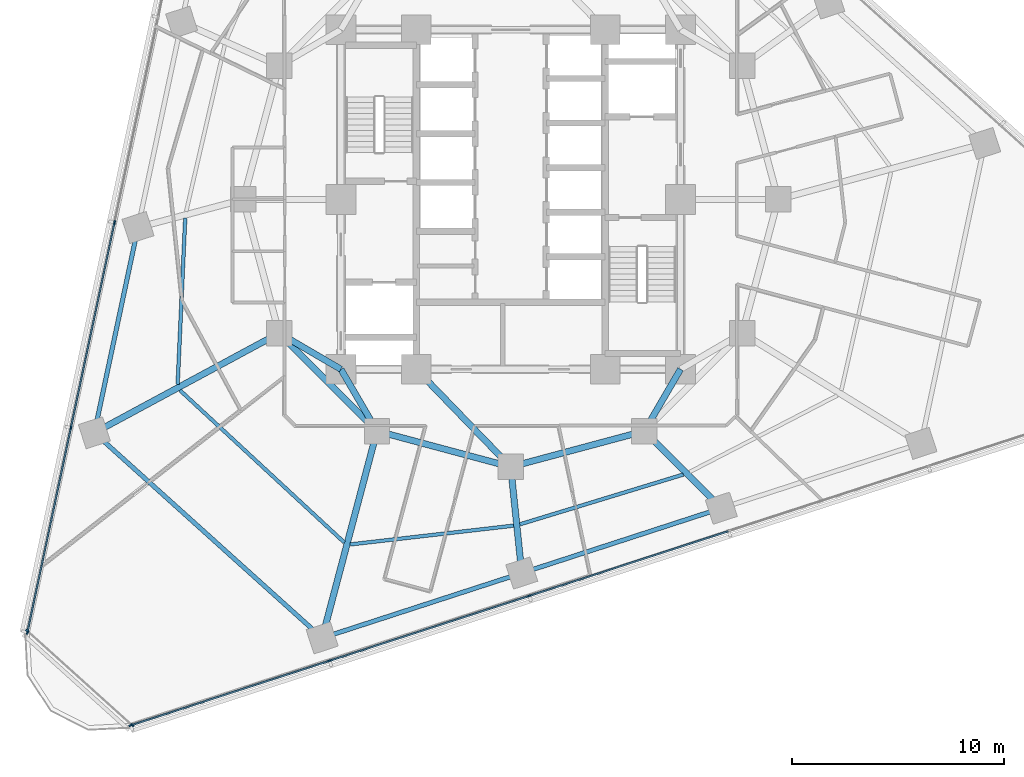
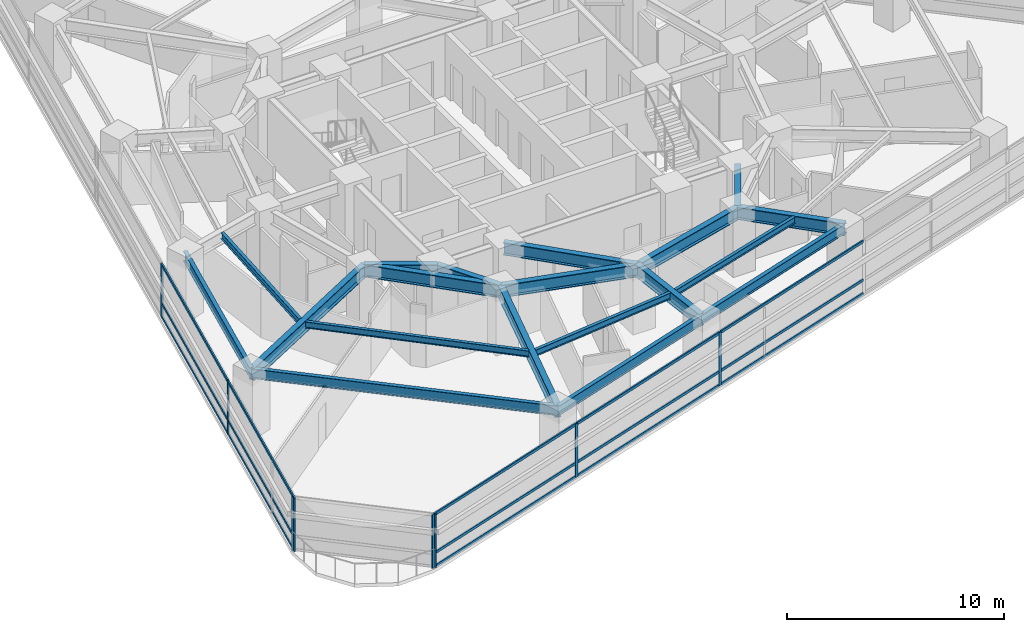
# One storey, part 2 of 13: 23 members, 19 beams, 3 elements without a shape of their own.
"""IFC4 building model written with IfcOpenShell, lengths in metres."""

import ifcopenshell
import ifcopenshell.guid

model = None  # the IFC model being written
_history = None  # IfcOwnerHistory: only IFC2X3 demands one
_inside = {}  # id of a spatial element -> (the spatial element, [elements in it])
_under = {}  # id of a project, library or spatial element -> (it, [spatial elements below it])
_declared = {}  # id of a project -> (the project, [libraries it declares])
_typed = {}  # id of a type object -> (the type object, [elements of that type])
_made_of = {}  # id of a material, layer set ... -> (it, [elements and type objects made of it])


def new_model(schema):
    """Start an empty IFC model of exactly this schema.

    Asked for "IFC4X3", IfcOpenShell would pick the latest addendum, in which some entities
    have other attributes; the version numbers below select the first issue.
    IFC2X3 requires an IfcOwnerHistory on every rooted entity: one is made here for all.
    """
    global model, _history
    if schema == "IFC4X3":
        model = ifcopenshell.file(schema_version=(4, 3, 0, 0))
    else:
        model = ifcopenshell.file(schema=schema)
    _inside.clear()
    _under.clear()
    _declared.clear()
    _typed.clear()
    _made_of.clear()
    _history = None
    if model.schema == "IFC2X3":
        org = make("IfcOrganization", Name="unknown")
        user = make(
            "IfcPersonAndOrganization",
            ThePerson=make("IfcPerson", FamilyName="unknown"),
            TheOrganization=org,
        )
        app = make(
            "IfcApplication",
            ApplicationDeveloper=org,
            Version="unknown",
            ApplicationFullName="unknown",
            ApplicationIdentifier="unknown",
        )
        _history = make(
            "IfcOwnerHistory",
            OwningUser=user,
            OwningApplication=app,
            ChangeAction="ADDED",
            CreationDate=0,
        )
    return model


def make(cls, **values):
    """One entity of the class cls with the attributes given. An attribute that is None is left unset."""
    return model.create_entity(
        cls, **{name: value for name, value in values.items() if value is not None}
    )


def rooted(cls, **values):
    """An entity with a GlobalId (a new one), such as an element, a storey or a relation."""
    return make(cls, GlobalId=ifcopenshell.guid.new(), OwnerHistory=_history, **values)


def si_unit(unit_type, name, prefix=None):
    """IfcSIUnit, for example si_unit("LENGTHUNIT", "METRE", prefix="MILLI")."""
    return make("IfcSIUnit", UnitType=unit_type, Prefix=prefix, Name=name)


def assignment(units):
    """IfcUnitAssignment: the units of a project."""
    return None if units is None else make("IfcUnitAssignment", Units=units)


def point(xyz):
    """IfcCartesianPoint."""
    return None if xyz is None else make("IfcCartesianPoint", Coordinates=xyz)


def direction(xyz):
    """IfcDirection."""
    return None if xyz is None else make("IfcDirection", DirectionRatios=xyz)


def frame(location, z_axis=None, x_axis=None):
    """IfcAxis2Placement3D, a coordinate frame: its origin and axes. An axis left out is left unset."""
    return make(
        "IfcAxis2Placement3D",
        Location=point(location),
        Axis=direction(z_axis),
        RefDirection=direction(x_axis),
    )


def frame_2d(location, x_axis=None):
    """IfcAxis2Placement2D, a coordinate frame in the plane: its origin and x axis."""
    return make(
        "IfcAxis2Placement2D", Location=point(location), RefDirection=direction(x_axis)
    )


def origin():
    """The frame at (0, 0, 0) with its axes left unset."""
    return frame((0.0, 0.0, 0.0))


def origin_2d():
    """The frame at (0, 0) in the plane with its x axis left unset."""
    return frame_2d((0.0, 0.0))


def place(relative_to, where):
    """IfcLocalPlacement: puts the frame where relative to a parent placement (None: the world)."""
    return make(
        "IfcLocalPlacement", PlacementRelTo=relative_to, RelativePlacement=where
    )


def context(
    kind, dimensions, precision=None, world=None, true_north=None, identifier=None
):
    """IfcGeometricRepresentationContext, for example the 3D "Model" context."""
    return make(
        "IfcGeometricRepresentationContext",
        ContextIdentifier=identifier,
        ContextType=kind,
        CoordinateSpaceDimension=dimensions,
        Precision=precision,
        WorldCoordinateSystem=world,
        TrueNorth=true_north,
    )


def subcontext(parent, identifier, kind, view, scale=None):
    """IfcGeometricRepresentationSubContext, for example "Body" below "Model"."""
    return make(
        "IfcGeometricRepresentationSubContext",
        ContextIdentifier=identifier,
        ContextType=kind,
        ParentContext=parent,
        TargetScale=scale,
        TargetView=view,
    )


def project(units=None, contexts=None):
    """IfcProject with its units and contexts."""
    return rooted(
        "IfcProject",
        Name="project",
        RepresentationContexts=contexts,
        UnitsInContext=assignment(units),
    )


def spatial(cls, under=None, at=None, **own):
    """A site, building, storey or space (cls), placed at a placement, below another one or the project."""
    s = rooted(cls, ObjectPlacement=at, **own)
    if under is not None:
        _under.setdefault(under.id(), (under, []))[1].append(s)
    return s


def profile(cls, at=None, kind="AREA", **sizes):
    """A parametric profile (cls). Its sizes go by their IFC names, for example OverallWidth=200.0."""
    return make(cls, ProfileType=kind, Position=at, **sizes)


def rectangle(**sizes):
    """IfcRectangleProfileDef."""
    return profile("IfcRectangleProfileDef", **sizes)


def i_section(**sizes):
    """IfcIShapeProfileDef."""
    return profile("IfcIShapeProfileDef", **sizes)


def extrude(swept, where, along, depth):
    """IfcExtrudedAreaSolid: the profile swept, set in the frame where, extruded along a direction by depth."""
    return make(
        "IfcExtrudedAreaSolid",
        SweptArea=swept,
        Position=where,
        ExtrudedDirection=direction(along),
        Depth=depth,
    )


def shape(context_of_items, identifier, shape_type, items):
    """IfcShapeRepresentation: the items that make up one representation, for example the "Body"."""
    return make(
        "IfcShapeRepresentation",
        ContextOfItems=context_of_items,
        RepresentationIdentifier=identifier,
        RepresentationType=shape_type,
        Items=items,
    )


def material(Name=None, Category=None):
    """IfcMaterial."""
    return make("IfcMaterial", Name=Name, Category=Category)


def layer(
    of_material, thickness, ventilated=None, Name=None, Category=None, Priority=None
):
    """IfcMaterialLayer: one layer of a wall or slab, of a material (None: an air gap)."""
    return make(
        "IfcMaterialLayer",
        Material=of_material,
        LayerThickness=thickness,
        IsVentilated=ventilated,
        Name=Name,
        Category=Category,
        Priority=Priority,
    )


def layer_set(layers, Name=None):
    """IfcMaterialLayerSet."""
    return make("IfcMaterialLayerSet", MaterialLayers=layers, LayerSetName=Name)


def material_profile(
    of_material, cross_section, Name=None, Category=None, Priority=None
):
    """IfcMaterialProfile: a cross section and its material."""
    return make(
        "IfcMaterialProfile",
        Name=Name,
        Material=of_material,
        Profile=cross_section,
        Priority=Priority,
        Category=Category,
    )


def profile_set(profiles, Name=None, composite=None):
    """IfcMaterialProfileSet."""
    return make(
        "IfcMaterialProfileSet",
        Name=Name,
        MaterialProfiles=profiles,
        CompositeProfile=composite,
    )


def made_of(thing, what):
    """Note that an element or type object is made of a material, layer set ...; save() writes the relation."""
    if what is not None:
        _made_of.setdefault(what.id(), (what, []))[1].append(thing)
    return thing


def type_object(cls, material=None, **own):
    """A type object (cls), such as IfcWallType, which elements share."""
    return made_of(rooted(cls, **own), material)


def element(
    cls,
    number,
    at=None,
    inside=None,
    cuts=None,
    type_object=None,
    material=None,
    context=None,
    identifier="Body",
    shape_type=None,
    held_by="IfcProductDefinitionShape",
    body=None,
    shapes=None,
    **own,
):
    """One element of the class cls, such as IfcWall. Its Tag is "e" and its number.

    at: its placement. inside: the storey or other place that contains it. cuts: it is an
    opening in that element (IfcRelVoidsElement). A single representation is given by context,
    identifier, shape_type and body (its items); several are given by shapes. held_by: the class
    of the entity that holds the representations. save() writes the other relations.
    """
    e = rooted(cls, Tag="e%d" % number, ObjectPlacement=at, **own)
    if body is not None:
        shapes = [shape(context, identifier, shape_type, body)]
    if shapes is not None:
        e.Representation = make(held_by, Representations=shapes)
    if inside is not None:
        _inside.setdefault(inside.id(), (inside, []))[1].append(e)
    if cuts is not None:
        rooted(
            "IfcRelVoidsElement", RelatingBuildingElement=cuts, RelatedOpeningElement=e
        )
    if type_object is not None:
        _typed.setdefault(type_object.id(), (type_object, []))[1].append(e)
    return made_of(e, material)


def aggregate(whole, parts):
    """IfcRelAggregates: a whole, such as a stair, and the parts it consists of."""
    return rooted("IfcRelAggregates", RelatingObject=whole, RelatedObjects=parts)


def save(model, path):
    """Write the relations noted so far, then the file.

    IfcRelAggregates (storeys below a building ...), IfcRelContainedInSpatialStructure (elements
    in a storey), IfcRelDefinesByType, IfcRelAssociatesMaterial and IfcRelDeclares: one each for
    every whole, place, type object, material and project.
    """
    for whole, parts in _under.values():
        aggregate(whole, parts)
    for where, things in _inside.values():
        rooted(
            "IfcRelContainedInSpatialStructure",
            RelatedElements=things,
            RelatingStructure=where,
        )
    for kind, things in _typed.values():
        rooted("IfcRelDefinesByType", RelatedObjects=things, RelatingType=kind)
    for what, things in _made_of.values():
        rooted("IfcRelAssociatesMaterial", RelatedObjects=things, RelatingMaterial=what)
    for by, libraries in _declared.values():
        rooted("IfcRelDeclares", RelatingContext=by, RelatedDefinitions=libraries)
    model.write(path)


model = new_model("IFC4")

# Units and contexts
model_context = context("Model", 3, precision=1e-05, world=origin(), true_north=direction((0.0, 1.0)))
body_context = subcontext(model_context, "Body", "Model", "MODEL_VIEW")
ifc_project = project(units=[si_unit("LENGTHUNIT", "METRE"), si_unit("AREAUNIT", "SQUARE_METRE"), si_unit("VOLUMEUNIT", "CUBIC_METRE"), si_unit("PLANEANGLEUNIT", "RADIAN"), si_unit("MASSUNIT", "GRAM", prefix="KILO")], contexts=[model_context])

# Site, building, storey
site_placement = place(None, origin())
site = spatial("IfcSite", under=ifc_project, at=site_placement, CompositionType="ELEMENT")
building_placement = place(site_placement, origin())
building = spatial("IfcBuilding", under=site, at=building_placement, Name="Terralouvre Media Tower", CompositionType="ELEMENT")
storey_placement = place(building_placement, frame((0.0, 0.0, 101.39990234375)))
storey = spatial("IfcBuildingStorey", under=building, at=storey_placement, Name="L25", CompositionType="ELEMENT", Elevation=101.39990234375)

# Beams
ifc_material_1 = material(Name="Structural steel S355J2", Category="steel")
ifc_material_profile_1 = material_profile(ifc_material_1, i_section(OverallWidth=0.169921875, OverallDepth=0.360107421875, WebThickness=0.008056640625, FlangeThickness=0.0126953125, at=origin_2d()), Name="IPE 360")
ifc_profile_set_1 = profile_set([ifc_material_profile_1], Name="Structural steel S355J2")
beam_type_1 = type_object("IfcBeamType", Name="Composite Floor Joist J-IPE360 (IPE 360)", PredefinedType="JOIST", material=ifc_profile_set_1)
beam_1_placement = place(storey_placement, frame((-15.33544921875, -0.882080078125, 3.320068359375), z_axis=(-0.045464200768, -0.998965968614, 0.0), x_axis=(0.998965968614, -0.045464200768, 0.0)))
element("IfcBeam", 1, at=beam_1_placement, inside=storey, type_object=beam_type_1, Name="L25 Framing Beam JT-L25-01", PredefinedType="JOIST", context=body_context, shape_type="SweptSolid", body=[
    extrude(i_section(OverallWidth=0.169921875, OverallDepth=0.360107421875, WebThickness=0.008056640625, FlangeThickness=0.0126953125, at=origin_2d()), origin(), (0.0, 0.0, 1.0), 7.834716796875),
])
beam_2_placement = place(storey_placement, frame((-15.584716796875, -8.988037109375, 3.320068359375), z_axis=(0.733637623699, -0.679540901707, 0.0), x_axis=(0.679540901707, 0.733637623699, 0.0)))
element("IfcBeam", 2, at=beam_2_placement, inside=storey, type_object=beam_type_1, Name="L25 Framing Beam JT-L25-02", PredefinedType="JOIST", context=body_context, shape_type="SweptSolid", body=[
    extrude(i_section(OverallWidth=0.169921875, OverallDepth=0.360107421875, WebThickness=0.008056640625, FlangeThickness=0.0126953125, at=origin_2d()), origin(), (0.0, 0.0, 1.0), 10.551513671875),
])
beam_3_placement = place(storey_placement, frame((-7.5625, -16.254150390625, 3.320068359375), z_axis=(0.993452319542, 0.114247489235, 0.0), x_axis=(-0.114247489235, 0.993452319542, 0.0)))
element("IfcBeam", 3, at=beam_3_placement, inside=storey, type_object=beam_type_1, Name="L25 Framing Beam JT-L25-03", PredefinedType="JOIST", context=body_context, shape_type="SweptSolid", body=[
    extrude(i_section(OverallWidth=0.169921875, OverallDepth=0.360107421875, WebThickness=0.008056640625, FlangeThickness=0.0126953125, at=origin_2d()), origin(), (0.0, 0.0, 1.0), 7.750732421875),
])
beam_4_placement = place(storey_placement, frame((0.430908203125, -15.307373046875, 3.320068359375), z_axis=(0.95657137257, 0.29149821471, 0.0), x_axis=(-0.29149821471, 0.95657137257, 0.0)))
element("IfcBeam", 4, at=beam_4_placement, inside=storey, type_object=beam_type_1, Name="L25 Framing Beam JT-L25-04", PredefinedType="JOIST", context=body_context, shape_type="SweptSolid", body=[
    extrude(i_section(OverallWidth=0.169921875, OverallDepth=0.360107421875, WebThickness=0.008056640625, FlangeThickness=0.0126953125, at=origin_2d()), origin(), (0.0, 0.0, 1.0), 8.052001953125),
])

# Curtain wall, members
ifc_material_2 = material(Name="Low-iron laminated double glazing with solar-control coating", Category="glass")
ifc_layer_1 = layer(ifc_material_2, 0.1650390625, Name="Lower Media Tower Unitised Curtain Wall CW-02")
ifc_layer_set_1 = layer_set([ifc_layer_1], Name="Low-iron laminated double glazing with solar-control coating")
curtain_wall_type_1 = type_object("IfcCurtainWallType", Name="Lower Media Tower Unitised Curtain Wall CW-02", PredefinedType="NOTDEFINED", material=ifc_layer_set_1)
curtain_wall_1_placement = place(storey_placement, origin())
curtain_wall_1 = element("IfcCurtainWall", 5, at=curtain_wall_1_placement, inside=storey, type_object=curtain_wall_type_1, Name="L25 Facade Curtain Wall F0", PredefinedType="NOTDEFINED")
ifc_material_3 = material(Name="Anodised extruded aluminium 6063-T6", Category="aluminium")
ifc_material_profile_2 = material_profile(ifc_material_3, rectangle(XDim=0.074951171875, YDim=0.14990234375, at=origin_2d()), Name="ALU 75x150")
ifc_profile_set_2 = profile_set([ifc_material_profile_2], Name="Anodised extruded aluminium 6063-T6")
member_type_1 = type_object("IfcMemberType", Name="Curtain-Wall Horizontal Transom TR-150", PredefinedType="USERDEFINED", material=ifc_profile_set_2)
member_1_placement = place(storey_placement, frame((-17.866455078125, -24.765380859375, 0.03759765625), z_axis=(0.951048750541, 0.309040893886, 0.0), x_axis=(-0.309040893886, 0.951048750541, 0.0)))
member_1 = element("IfcMember", 6, at=member_1_placement, type_object=member_type_1, Name="CW-02 transom 1.1", ObjectType="TRANSOM", PredefinedType="USERDEFINED", context=body_context, shape_type="SweptSolid", body=[
    extrude(rectangle(XDim=0.074951171875, YDim=0.14990234375, at=origin_2d()), origin(), (0.0, 0.0, 1.0), 9.775390625),
])
member_2_placement = place(storey_placement, frame((-17.866455078125, -24.765380859375, 0.800048828125), z_axis=(0.951048750541, 0.309040893886, 0.0), x_axis=(-0.309040893886, 0.951048750541, 0.0)))
member_2 = element("IfcMember", 7, at=member_2_placement, type_object=member_type_1, Name="CW-02 transom 1.2", ObjectType="TRANSOM", PredefinedType="USERDEFINED", context=body_context, shape_type="SweptSolid", body=[
    extrude(rectangle(XDim=0.074951171875, YDim=0.14990234375, at=origin_2d()), origin(), (0.0, 0.0, 1.0), 9.775390625),
])
member_3_placement = place(storey_placement, frame((-17.866455078125, -24.765380859375, 2.962646484375), z_axis=(0.951048750541, 0.309040893886, 0.0), x_axis=(-0.309040893886, 0.951048750541, 0.0)))
member_3 = element("IfcMember", 8, at=member_3_placement, type_object=member_type_1, Name="CW-02 transom 1.3", ObjectType="TRANSOM", PredefinedType="USERDEFINED", context=body_context, shape_type="SweptSolid", body=[
    extrude(rectangle(XDim=0.074951171875, YDim=0.14990234375, at=origin_2d()), origin(), (0.0, 0.0, 1.0), 9.775390625),
])
member_4_placement = place(storey_placement, frame((-8.498291015625, -21.72119140625, 0.03759765625), z_axis=(0.951061672682, 0.309001124198, 0.0), x_axis=(-0.309001124198, 0.951061672682, 0.0)))
member_4 = element("IfcMember", 9, at=member_4_placement, type_object=member_type_1, Name="CW-02 transom 2.1", ObjectType="TRANSOM", PredefinedType="USERDEFINED", context=body_context, shape_type="SweptSolid", body=[
    extrude(rectangle(XDim=0.074951171875, YDim=0.14990234375, at=origin_2d()), origin(), (0.0, 0.0, 1.0), 9.81298828125),
])
member_5_placement = place(storey_placement, frame((-8.498291015625, -21.72119140625, 0.800048828125), z_axis=(0.951061672682, 0.309001124198, 0.0), x_axis=(-0.309001124198, 0.951061672682, 0.0)))
member_5 = element("IfcMember", 10, at=member_5_placement, type_object=member_type_1, Name="CW-02 transom 2.2", ObjectType="TRANSOM", PredefinedType="USERDEFINED", context=body_context, shape_type="SweptSolid", body=[
    extrude(rectangle(XDim=0.074951171875, YDim=0.14990234375, at=origin_2d()), origin(), (0.0, 0.0, 1.0), 9.81298828125),
])
member_6_placement = place(storey_placement, frame((-8.498291015625, -21.72119140625, 2.962646484375), z_axis=(0.951061672682, 0.309001124198, 0.0), x_axis=(-0.309001124198, 0.951061672682, 0.0)))
member_6 = element("IfcMember", 11, at=member_6_placement, type_object=member_type_1, Name="CW-02 transom 2.3", ObjectType="TRANSOM", PredefinedType="USERDEFINED", context=body_context, shape_type="SweptSolid", body=[
    extrude(rectangle(XDim=0.074951171875, YDim=0.14990234375, at=origin_2d()), origin(), (0.0, 0.0, 1.0), 9.81298828125),
])
member_7_placement = place(storey_placement, frame((0.90576171875, -18.665771484375, 0.03759765625), z_axis=(0.95105436096, 0.309023627736, 0.0), x_axis=(-0.309023627736, 0.95105436096, 0.0)))
member_7 = element("IfcMember", 12, at=member_7_placement, type_object=member_type_1, Name="CW-02 transom 3.1", ObjectType="TRANSOM", PredefinedType="USERDEFINED", context=body_context, shape_type="SweptSolid", body=[
    extrude(rectangle(XDim=0.074951171875, YDim=0.14990234375, at=origin_2d()), origin(), (0.0, 0.0, 1.0), 9.81298828125),
])
member_8_placement = place(storey_placement, frame((0.90576171875, -18.665771484375, 0.800048828125), z_axis=(0.95105436096, 0.309023627736, 0.0), x_axis=(-0.309023627736, 0.95105436096, 0.0)))
member_8 = element("IfcMember", 13, at=member_8_placement, type_object=member_type_1, Name="CW-02 transom 3.2", ObjectType="TRANSOM", PredefinedType="USERDEFINED", context=body_context, shape_type="SweptSolid", body=[
    extrude(rectangle(XDim=0.074951171875, YDim=0.14990234375, at=origin_2d()), origin(), (0.0, 0.0, 1.0), 9.81298828125),
])
member_9_placement = place(storey_placement, frame((0.90576171875, -18.665771484375, 2.962646484375), z_axis=(0.95105436096, 0.309023627736, 0.0), x_axis=(-0.309023627736, 0.95105436096, 0.0)))
member_9 = element("IfcMember", 14, at=member_9_placement, type_object=member_type_1, Name="CW-02 transom 3.3", ObjectType="TRANSOM", PredefinedType="USERDEFINED", context=body_context, shape_type="SweptSolid", body=[
    extrude(rectangle(XDim=0.074951171875, YDim=0.14990234375, at=origin_2d()), origin(), (0.0, 0.0, 1.0), 9.81298828125),
])

curtain_wall_2_placement = place(storey_placement, origin())
curtain_wall_2 = element("IfcCurtainWall", 15, at=curtain_wall_2_placement, inside=storey, type_object=curtain_wall_type_1, Name="L25 Facade Curtain Wall F2", PredefinedType="NOTDEFINED")
member_10_placement = place(storey_placement, frame((-18.673828125, -1.12353515625, 0.03759765625), z_axis=(-0.207914695346, -0.978146962097, 0.0), x_axis=(0.978146962097, -0.207914695346, 0.0)))
member_10 = element("IfcMember", 16, at=member_10_placement, type_object=member_type_1, Name="CW-02 transom 4.1", ObjectType="TRANSOM", PredefinedType="USERDEFINED", context=body_context, shape_type="SweptSolid", body=[
    extrude(rectangle(XDim=0.074951171875, YDim=0.14990234375, at=origin_2d()), origin(), (0.0, 0.0, 1.0), 9.81298828125),
])
member_11_placement = place(storey_placement, frame((-18.673828125, -1.12353515625, 0.800048828125), z_axis=(-0.207914695346, -0.978146962097, 0.0), x_axis=(0.978146962097, -0.207914695346, 0.0)))
member_11 = element("IfcMember", 17, at=member_11_placement, type_object=member_type_1, Name="CW-02 transom 4.2", ObjectType="TRANSOM", PredefinedType="USERDEFINED", context=body_context, shape_type="SweptSolid", body=[
    extrude(rectangle(XDim=0.074951171875, YDim=0.14990234375, at=origin_2d()), origin(), (0.0, 0.0, 1.0), 9.81298828125),
])
member_12_placement = place(storey_placement, frame((-18.673828125, -1.12353515625, 2.962646484375), z_axis=(-0.207914695346, -0.978146962097, 0.0), x_axis=(0.978146962097, -0.207914695346, 0.0)))
member_12 = element("IfcMember", 18, at=member_12_placement, type_object=member_type_1, Name="CW-02 transom 4.3", ObjectType="TRANSOM", PredefinedType="USERDEFINED", context=body_context, shape_type="SweptSolid", body=[
    extrude(rectangle(XDim=0.074951171875, YDim=0.14990234375, at=origin_2d()), origin(), (0.0, 0.0, 1.0), 9.81298828125),
])
member_13_placement = place(storey_placement, frame((-20.7294921875, -10.79541015625, 0.03759765625), z_axis=(-0.207911922732, -0.978147551439, 0.0), x_axis=(0.978147551439, -0.207911922732, 0.0)))
member_13 = element("IfcMember", 19, at=member_13_placement, type_object=member_type_1, Name="CW-02 transom 5.1", ObjectType="TRANSOM", PredefinedType="USERDEFINED", context=body_context, shape_type="SweptSolid", body=[
    extrude(rectangle(XDim=0.074951171875, YDim=0.14990234375, at=origin_2d()), origin(), (0.0, 0.0, 1.0), 9.775634765625),
])
member_14_placement = place(storey_placement, frame((-20.7294921875, -10.79541015625, 0.800048828125), z_axis=(-0.207911922732, -0.978147551439, 0.0), x_axis=(0.978147551439, -0.207911922732, 0.0)))
member_14 = element("IfcMember", 20, at=member_14_placement, type_object=member_type_1, Name="CW-02 transom 5.2", ObjectType="TRANSOM", PredefinedType="USERDEFINED", context=body_context, shape_type="SweptSolid", body=[
    extrude(rectangle(XDim=0.074951171875, YDim=0.14990234375, at=origin_2d()), origin(), (0.0, 0.0, 1.0), 9.775634765625),
])
member_15_placement = place(storey_placement, frame((-20.7294921875, -10.79541015625, 2.962646484375), z_axis=(-0.207911922732, -0.978147551439, 0.0), x_axis=(0.978147551439, -0.207911922732, 0.0)))
member_15 = element("IfcMember", 21, at=member_15_placement, type_object=member_type_1, Name="CW-02 transom 5.3", ObjectType="TRANSOM", PredefinedType="USERDEFINED", context=body_context, shape_type="SweptSolid", body=[
    extrude(rectangle(XDim=0.074951171875, YDim=0.14990234375, at=origin_2d()), origin(), (0.0, 0.0, 1.0), 9.775634765625),
])

# Member
ifc_material_4 = material(Name="Anodised extruded aluminium 6063-T6", Category="aluminium")
ifc_material_profile_3 = material_profile(ifc_material_4, rectangle(XDim=0.074951171875, YDim=0.179931640625, at=origin_2d()), Name="ALU 75x180")
ifc_profile_set_3 = profile_set([ifc_material_profile_3], Name="Anodised extruded aluminium 6063-T6")
member_type_2 = type_object("IfcMemberType", Name="Curtain-Wall Vertical Mullion ML-180", PredefinedType="MULLION", material=ifc_profile_set_3)
member_16_placement = place(storey_placement, frame((-17.90234375, -24.77685546875, 0.0), z_axis=(0.0, 0.0, 1.0), x_axis=(-0.309017015439, 0.951056509451, 0.0)))
member_16 = element("IfcMember", 22, at=member_16_placement, type_object=member_type_2, Name="CW-02 mullion 1", PredefinedType="MULLION", context=body_context, shape_type="SweptSolid", body=[
    extrude(rectangle(XDim=0.074951171875, YDim=0.179931640625, at=origin_2d()), origin(), (0.0, 0.0, 1.0), 3.0),
])

member_17_placement = place(storey_placement, frame((-8.533935546875, -21.73291015625, 0.0), z_axis=(0.0, 0.0, 1.0), x_axis=(-0.309017015439, 0.951056509451, 0.0)))
member_17 = element("IfcMember", 23, at=member_17_placement, type_object=member_type_2, Name="CW-02 mullion 2", PredefinedType="MULLION", context=body_context, shape_type="SweptSolid", body=[
    extrude(rectangle(XDim=0.074951171875, YDim=0.179931640625, at=origin_2d()), origin(), (0.0, 0.0, 1.0), 3.0),
])

member_18_placement = place(storey_placement, frame((0.8701171875, -18.67724609375, 0.0), z_axis=(0.0, 0.0, 1.0), x_axis=(-0.309017015439, 0.951056509451, 0.0)))
member_18 = element("IfcMember", 24, at=member_18_placement, type_object=member_type_2, Name="CW-02 mullion 3", PredefinedType="MULLION", context=body_context, shape_type="SweptSolid", body=[
    extrude(rectangle(XDim=0.074951171875, YDim=0.179931640625, at=origin_2d()), origin(), (0.0, 0.0, 1.0), 3.0),
])

aggregate(curtain_wall_1, [member_16, member_17, member_18, member_1, member_2, member_3, member_4, member_5, member_6, member_7, member_8, member_9])

member_19_placement = place(storey_placement, frame((-18.666015625, -1.0869140625, 0.0), z_axis=(0.0, 0.0, 1.0), x_axis=(0.978147610709, -0.207911643887, 0.0)))
member_19 = element("IfcMember", 25, at=member_19_placement, type_object=member_type_2, Name="CW-02 mullion 4", PredefinedType="MULLION", context=body_context, shape_type="SweptSolid", body=[
    extrude(rectangle(XDim=0.074951171875, YDim=0.179931640625, at=origin_2d()), origin(), (0.0, 0.0, 1.0), 3.0),
])

member_20_placement = place(storey_placement, frame((-20.7216796875, -10.7587890625, 0.0), z_axis=(0.0, 0.0, 1.0), x_axis=(0.978147610709, -0.207911643887, 0.0)))
member_20 = element("IfcMember", 26, at=member_20_placement, type_object=member_type_2, Name="CW-02 mullion 5", PredefinedType="MULLION", context=body_context, shape_type="SweptSolid", body=[
    extrude(rectangle(XDim=0.074951171875, YDim=0.179931640625, at=origin_2d()), origin(), (0.0, 0.0, 1.0), 3.0),
])

member_21_placement = place(storey_placement, frame((-22.769775390625, -20.39404296875, 0.0), z_axis=(0.0, 0.0, 1.0), x_axis=(0.978147610709, -0.207911643887, 0.0)))
member_21 = element("IfcMember", 27, at=member_21_placement, type_object=member_type_2, Name="CW-02 mullion 6", PredefinedType="MULLION", context=body_context, shape_type="SweptSolid", body=[
    extrude(rectangle(XDim=0.074951171875, YDim=0.179931640625, at=origin_2d()), origin(), (0.0, 0.0, 1.0), 3.0),
])

aggregate(curtain_wall_2, [member_19, member_20, member_21, member_10, member_11, member_12, member_13, member_14, member_15])

# Curtain wall, members
ifc_material_5 = material(Name="Low-iron laminated double glazing with solar-control coating", Category="glass")
ifc_layer_2 = layer(ifc_material_5, 0.1650390625, Name="Rounded Wind-Corner Curved Glazing CW-04")
ifc_layer_set_2 = layer_set([ifc_layer_2], Name="Low-iron laminated double glazing with solar-control coating")
curtain_wall_type_2 = type_object("IfcCurtainWallType", Name="Rounded Wind-Corner Curved Glazing CW-04", PredefinedType="NOTDEFINED", material=ifc_layer_set_2)
curtain_wall_3_placement = place(storey_placement, origin())
curtain_wall_3 = element("IfcCurtainWall", 28, at=curtain_wall_3_placement, inside=storey, type_object=curtain_wall_type_2, Name="L25 Rounded Wind-Corner Curtain Wall C0", PredefinedType="NOTDEFINED")
member_22_placement = place(storey_placement, frame((-22.7734375, -20.326904296875, 0.0), z_axis=(0.0, 0.0, 1.0), x_axis=(0.669130780732, 0.743144668471, 0.0)))
member_22 = element("IfcMember", 29, at=member_22_placement, type_object=member_type_2, Name="CW-04 mullion 1", PredefinedType="MULLION", context=body_context, shape_type="SweptSolid", body=[
    extrude(rectangle(XDim=0.074951171875, YDim=0.179931640625, at=origin_2d()), origin(), (0.0, 0.0, 1.0), 3.0),
])
member_23_placement = place(storey_placement, frame((-17.8349609375, -24.7734375, 0.0), z_axis=(0.0, 0.0, 1.0), x_axis=(0.669130780732, 0.743144668471, 0.0)))
member_23 = element("IfcMember", 30, at=member_23_placement, type_object=member_type_2, Name="CW-04 mullion 2", PredefinedType="MULLION", context=body_context, shape_type="SweptSolid", body=[
    extrude(rectangle(XDim=0.074951171875, YDim=0.179931640625, at=origin_2d()), origin(), (0.0, 0.0, 1.0), 3.0),
])
aggregate(curtain_wall_3, [member_22, member_23])

# Beams
ifc_material_6 = material(Name="Structural steel S355J2", Category="steel")
ifc_material_profile_4 = material_profile(ifc_material_6, i_section(OverallWidth=0.2099609375, OverallDepth=0.550048828125, WebThickness=0.010986328125, FlangeThickness=0.01708984375, at=origin_2d()), Name="IPE 550")
ifc_profile_set_4 = profile_set([ifc_material_profile_4], Name="Structural steel S355J2")
beam_type_2 = type_object("IfcBeamType", Name="Perimeter Spandrel Beam SPB-550 (IPE 550)", PredefinedType="SPANDREL", material=ifc_profile_set_4)
beam_5_placement = place(storey_placement, frame((-17.560791015625, -1.32177734375, 3.22509765625), z_axis=(-0.207896554112, -0.978150818017, 0.0), x_axis=(0.978150818017, -0.207896554112, 0.0)))
element("IfcBeam", 31, at=beam_5_placement, inside=storey, type_object=beam_type_2, Name="L25 Framing Beam BM-L25-PR01", PredefinedType="SPANDREL", context=body_context, shape_type="SweptSolid", body=[
    extrude(i_section(OverallWidth=0.2099609375, OverallDepth=0.550048828125, WebThickness=0.010986328125, FlangeThickness=0.01708984375, at=origin_2d()), origin(), (0.0, 0.0, 1.0), 9.887939453125),
])
beam_6_placement = place(storey_placement, frame((-19.616455078125, -10.99365234375, 3.22509765625), z_axis=(0.743139474617, -0.669136549044, 0.0), x_axis=(0.669136549044, 0.743139474617, 0.0)))
element("IfcBeam", 32, at=beam_6_placement, inside=storey, type_object=beam_type_2, Name="L25 Framing Beam BM-L25-PR02", PredefinedType="SPANDREL", context=body_context, shape_type="SweptSolid", body=[
    extrude(i_section(OverallWidth=0.2099609375, OverallDepth=0.550048828125, WebThickness=0.010986328125, FlangeThickness=0.01708984375, at=origin_2d()), origin(), (0.0, 0.0, 1.0), 14.443359375),
])
for number, where, z_axis, x_axis, name in (
    (33, (-8.883056640625, -20.658203125, 3.22509765625), (0.95105348149, 0.309026334389, 0.0), (-0.309026334389, 0.95105348149, 0.0), "L25 Framing Beam BM-L25-PR03"),
    (34, (0.52099609375, -17.6025390625, 3.22509765625), (0.951060737836, 0.309004001506, 0.0), (-0.309004001506, 0.951060737836, 0.0), "L25 Framing Beam BM-L25-PR04"),
):
    element("IfcBeam", number, at=place(storey_placement, frame(where, z_axis=z_axis, x_axis=x_axis)), inside=storey, type_object=beam_type_2, Name=name, PredefinedType="SPANDREL", context=body_context, shape_type="SweptSolid", body=[
        extrude(i_section(OverallWidth=0.2099609375, OverallDepth=0.550048828125, WebThickness=0.010986328125, FlangeThickness=0.01708984375, at=origin_2d()), origin(), (0.0, 0.0, 1.0), 9.887939453125),
    ])
ifc_material_7 = material(Name="Structural steel S460M", Category="steel")
ifc_material_profile_5 = material_profile(ifc_material_7, i_section(OverallWidth=0.300048828125, OverallDepth=0.699951171875, WebThickness=0.01708984375, FlangeThickness=0.031982421875, at=origin_2d()), Name="HEB 700")
ifc_profile_set_5 = profile_set([ifc_material_profile_5], Name="Structural steel S460M")
beam_type_3 = type_object("IfcBeamType", Name="Primary Floor Girder B-HEB700 (HEB 700)", PredefinedType="BEAM", material=ifc_profile_set_5)
beam_7_placement = place(storey_placement, frame((-10.911865234375, -6.300048828125, 3.150146484375), z_axis=(0.707106781187, -0.707106781187, 0.0), x_axis=(0.707106781187, 0.707106781187, 0.0)))
element("IfcBeam", 35, at=beam_7_placement, inside=storey, type_object=beam_type_3, Name="L25 Framing Beam BM-L25-MR01", PredefinedType="BEAM", context=body_context, shape_type="SweptSolid", body=[
    extrude(i_section(OverallWidth=0.300048828125, OverallDepth=0.699951171875, WebThickness=0.01708984375, FlangeThickness=0.031982421875, at=origin_2d()), origin(), (0.0, 0.0, 1.0), 6.52197265625),
])
for number, where, z_axis, x_axis, name in (
    (36, (-6.300048828125, -10.911865234375, 3.150146484375), (0.965920481897, -0.258838989821, 0.0), (0.258838989821, 0.965920481897, 0.0), "L25 Framing Beam BM-L25-MR02"),
    (37, (0.0, -12.60009765625, 3.150146484375), (0.965920481897, 0.258838989821, 0.0), (-0.258838989821, 0.965920481897, 0.0), "L25 Framing Beam BM-L25-MR03"),
):
    element("IfcBeam", number, at=place(storey_placement, frame(where, z_axis=z_axis, x_axis=x_axis)), inside=storey, type_object=beam_type_3, Name=name, PredefinedType="BEAM", context=body_context, shape_type="SweptSolid", body=[
        extrude(i_section(OverallWidth=0.300048828125, OverallDepth=0.699951171875, WebThickness=0.01708984375, FlangeThickness=0.031982421875, at=origin_2d()), origin(), (0.0, 0.0, 1.0), 6.522216796875),
    ])
for number, where, z_axis, x_axis, name in (
    (38, (-8.0, -8.0, 3.150146484375), (-0.863602894532, 0.504172629717, 0.0), (-0.504172629717, -0.863602894532, 0.0), "L25 Framing Beam BM-L25-CM01"),
    (39, (-8.0, -8.0, 3.150146484375), (0.504172629717, -0.863602894532, 0.0), (0.863602894532, 0.504172629717, 0.0), "L25 Framing Beam BM-L25-CM02"),
):
    element("IfcBeam", number, at=place(storey_placement, frame(where, z_axis=z_axis, x_axis=x_axis)), inside=storey, type_object=beam_type_3, Name=name, PredefinedType="BEAM", context=body_context, shape_type="SweptSolid", body=[
        extrude(i_section(OverallWidth=0.300048828125, OverallDepth=0.699951171875, WebThickness=0.01708984375, FlangeThickness=0.031982421875, at=origin_2d()), origin(), (0.0, 0.0, 1.0), 3.371826171875),
    ])
beam_8_placement = place(storey_placement, frame((-4.449951171875, -8.0, 3.150146484375), z_axis=(0.695279715726, -0.718739255155, 0.0), x_axis=(0.718739255155, 0.695279715726, 0.0)))
element("IfcBeam", 40, at=beam_8_placement, inside=storey, type_object=beam_type_3, Name="L25 Framing Beam BM-L25-CM03", PredefinedType="BEAM", context=body_context, shape_type="SweptSolid", body=[
    extrude(i_section(OverallWidth=0.300048828125, OverallDepth=0.699951171875, WebThickness=0.01708984375, FlangeThickness=0.031982421875, at=origin_2d()), origin(), (0.0, 0.0, 1.0), 6.400146484375),
])
beam_9_placement = place(storey_placement, frame((8.0, -8.0, 3.150146484375), z_axis=(-0.504172629717, -0.863602894532, 0.0), x_axis=(0.863602894532, -0.504172629717, 0.0)))
element("IfcBeam", 41, at=beam_9_placement, inside=storey, type_object=beam_type_3, Name="L25 Framing Beam BM-L25-CM04", PredefinedType="BEAM", context=body_context, shape_type="SweptSolid", body=[
    extrude(i_section(OverallWidth=0.300048828125, OverallDepth=0.699951171875, WebThickness=0.01708984375, FlangeThickness=0.031982421875, at=origin_2d()), origin(), (0.0, 0.0, 1.0), 3.371826171875),
])
beam_10_placement = place(storey_placement, frame((-10.911865234375, -6.300048828125, 3.150146484375), z_axis=(-0.880195882447, -0.47461058619, 0.0), x_axis=(0.47461058619, -0.880195882447, 0.0)))
element("IfcBeam", 42, at=beam_10_placement, inside=storey, type_object=beam_type_3, Name="L25 Framing Beam BM-L25-RD02", PredefinedType="BEAM", context=body_context, shape_type="SweptSolid", body=[
    extrude(i_section(OverallWidth=0.300048828125, OverallDepth=0.699951171875, WebThickness=0.01708984375, FlangeThickness=0.031982421875, at=origin_2d()), origin(), (0.0, 0.0, 1.0), 9.889404296875),
])
beam_11_placement = place(storey_placement, frame((-6.300048828125, -10.911865234375, 3.150146484375), z_axis=(-0.25617939255, -0.966629256144, 0.0), x_axis=(0.966629256144, -0.25617939255, 0.0)))
element("IfcBeam", 43, at=beam_11_placement, inside=storey, type_object=beam_type_3, Name="L25 Framing Beam BM-L25-RD03", PredefinedType="BEAM", context=body_context, shape_type="SweptSolid", body=[
    extrude(i_section(OverallWidth=0.300048828125, OverallDepth=0.699951171875, WebThickness=0.01708984375, FlangeThickness=0.031982421875, at=origin_2d()), origin(), (0.0, 0.0, 1.0), 10.082763671875),
])
beam_12_placement = place(storey_placement, frame((0.0, -12.60009765625, 3.150146484375), z_axis=(0.103588076486, -0.994620284536, 0.0), x_axis=(0.994620284536, 0.103588076486, 0.0)))
element("IfcBeam", 44, at=beam_12_placement, inside=storey, type_object=beam_type_3, Name="L25 Framing Beam BM-L25-RD04", PredefinedType="BEAM", context=body_context, shape_type="SweptSolid", body=[
    extrude(i_section(OverallWidth=0.300048828125, OverallDepth=0.699951171875, WebThickness=0.01708984375, FlangeThickness=0.031982421875, at=origin_2d()), origin(), (0.0, 0.0, 1.0), 5.029541015625),
])
beam_13_placement = place(storey_placement, frame((6.300048828125, -10.911865234375, 3.150146484375), z_axis=(0.706107405732, -0.708104746185, 0.0), x_axis=(0.708104746185, 0.706107405732, 0.0)))
element("IfcBeam", 45, at=beam_13_placement, inside=storey, type_object=beam_type_3, Name="L25 Framing Beam BM-L25-RD05", PredefinedType="BEAM", context=body_context, shape_type="SweptSolid", body=[
    extrude(i_section(OverallWidth=0.300048828125, OverallDepth=0.699951171875, WebThickness=0.01708984375, FlangeThickness=0.031982421875, at=origin_2d()), origin(), (0.0, 0.0, 1.0), 5.1337890625),
])

save(model, "model.ifc")
